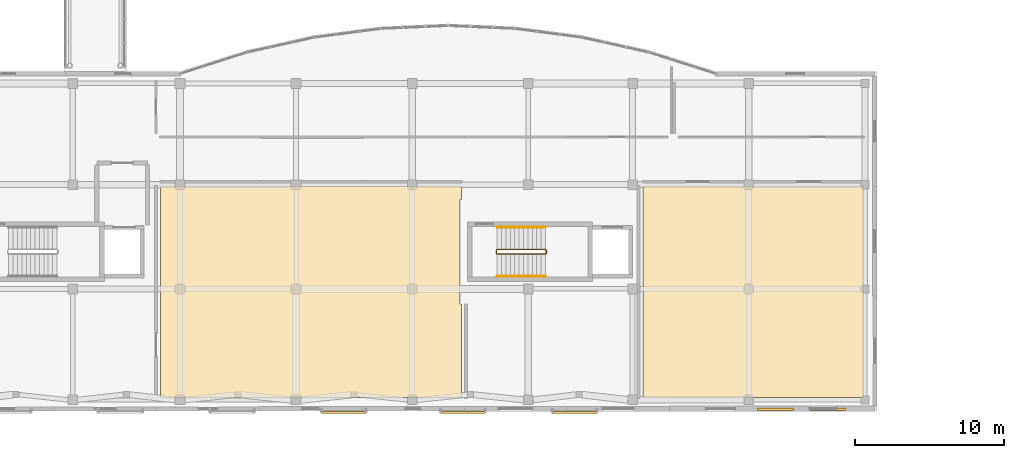
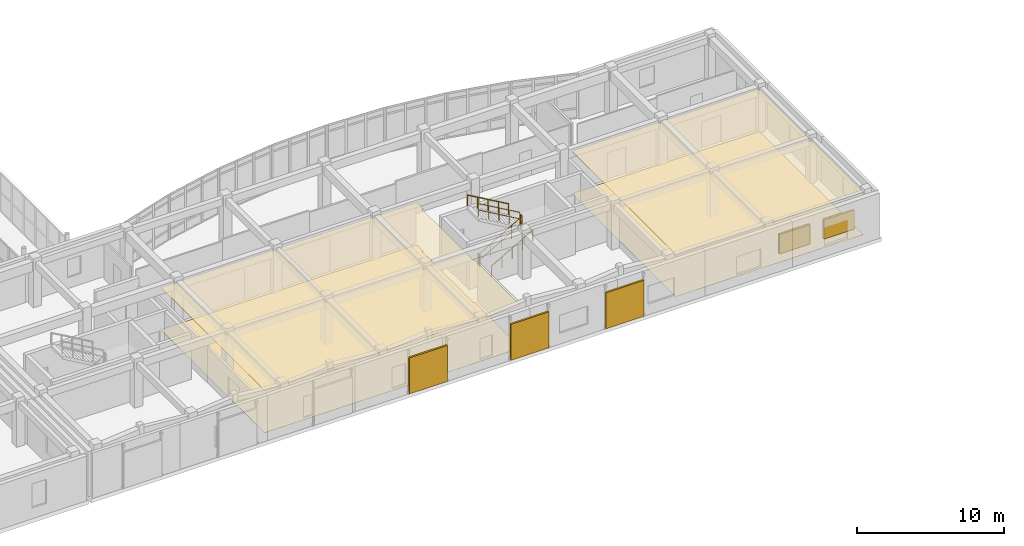
# One storey, part 143 of 146: 6 railings, 5 shading devices, 4 coverings.
"""IFC4 building model written with IfcOpenShell, lengths in metres."""

from ifc_helpers import new_model, si_unit, direction, frame, origin, origin_2d, place, context, subcontext, project, spatial, polyline, rectangle, circle, outline, extrude, material, layer, layer_set, type_object, element, save


model = new_model("IFC4")

# Units and contexts
model_context = context("Model", 3, precision=1e-05, world=origin(), true_north=direction((0.0, 1.0)))
body_context = subcontext(model_context, "Body", "Model", "MODEL_VIEW")
ifc_project = project(units=[si_unit("LENGTHUNIT", "METRE"), si_unit("AREAUNIT", "SQUARE_METRE"), si_unit("VOLUMEUNIT", "CUBIC_METRE"), si_unit("PLANEANGLEUNIT", "RADIAN"), si_unit("MASSUNIT", "GRAM", prefix="KILO")], contexts=[model_context])

# Site, building, storey
site_placement = place(None, origin())
site = spatial("IfcSite", under=ifc_project, at=site_placement, CompositionType="ELEMENT")
building_placement = place(site_placement, origin())
building = spatial("IfcBuilding", under=site, at=building_placement, Name="Valcora Specialist Clinic", CompositionType="ELEMENT")
storey_placement = place(building_placement, frame((0.0, 0.0, 9.52001953125)))
storey = spatial("IfcBuildingStorey", under=building, at=storey_placement, Name="L02", CompositionType="ELEMENT", Elevation=9.52001953125)

# Coverings
ifc_material_1 = material(Name="Acoustic Mineral Ceiling Tile")
ifc_layer_1 = layer(ifc_material_1, 0.02001953125)
ifc_layer_set_1 = layer_set([ifc_layer_1], Name="Acoustic Mineral Ceiling Tile")
covering_type_1 = type_object("IfcCoveringType", Name="TY-CV-CLG020", PredefinedType="CEILING", material=ifc_layer_set_1)
covering_1_placement = place(storey_placement, frame((0.0, 0.0, 3.52490234375)))
element("IfcCovering", 1, at=covering_1_placement, inside=storey, type_object=covering_type_1, Name="Acoustic ceiling tile 19", PredefinedType="CEILING", context=body_context, shape_type="SweptSolid", body=[
    extrude(outline(polyline([(67.699951171875, 15.10009765625), (87.89990234375, 15.10009765625), (87.89990234375, 14.199951171875), (87.800048828125, 14.199951171875), (87.800048828125, 7.199951171875), (87.89990234375, 7.199951171875), (87.89990234375, 0.89990234375), (67.699951171875, 0.89990234375), (67.699951171875, 15.10009765625)])), origin(), (0.0, 0.0, 1.0), 0.02001953125),
])
covering_2_placement = place(storey_placement, frame((0.0, 0.0, 3.52490234375)))
element("IfcCovering", 2, at=covering_2_placement, inside=storey, type_object=covering_type_1, Name="Acoustic ceiling tile 20", PredefinedType="CEILING", context=body_context, shape_type="SweptSolid", body=[
    extrude(outline(polyline([(114.89990234375, 15.10009765625), (114.89990234375, 0.89990234375), (100.10009765625, 0.89990234375), (100.10009765625, 15.10009765625), (114.89990234375, 15.10009765625)])), origin(), (0.0, 0.0, 1.0), 0.02001953125),
])
ifc_material_2 = material(Name="Antimicrobial Vinyl Clinical Flooring")
ifc_layer_2 = layer(ifc_material_2, 0.008056640625)
ifc_layer_set_2 = layer_set([ifc_layer_2], Name="Antimicrobial Vinyl Clinical Flooring")
covering_type_2 = type_object("IfcCoveringType", Name="TY-CV-FLR008", PredefinedType="FLOORING", material=ifc_layer_set_2)
covering_3_placement = place(storey_placement, origin())
element("IfcCovering", 3, at=covering_3_placement, inside=storey, type_object=covering_type_2, Name="Antimicrobial clinical flooring 19", PredefinedType="FLOORING", context=body_context, shape_type="SweptSolid", body=[
    extrude(outline(polyline([(67.699951171875, 15.10009765625), (87.89990234375, 15.10009765625), (87.89990234375, 14.199951171875), (87.800048828125, 14.199951171875), (87.800048828125, 7.199951171875), (87.89990234375, 7.199951171875), (87.89990234375, 0.89990234375), (67.699951171875, 0.89990234375), (67.699951171875, 15.10009765625)])), origin(), (0.0, 0.0, 1.0), 0.008056640625),
])
covering_4_placement = place(storey_placement, origin())
element("IfcCovering", 4, at=covering_4_placement, inside=storey, type_object=covering_type_2, Name="Antimicrobial clinical flooring 20", PredefinedType="FLOORING", context=body_context, shape_type="SweptSolid", body=[
    extrude(outline(polyline([(114.89990234375, 15.10009765625), (114.89990234375, 0.89990234375), (100.10009765625, 0.89990234375), (100.10009765625, 15.10009765625), (114.89990234375, 15.10009765625)])), origin(), (0.0, 0.0, 1.0), 0.008056640625),
])

# Railings
ifc_material_3 = material(Name="Stainless Steel AISI 316", Category="steel")
railing_type_1 = type_object("IfcRailingType", Name="TY-RL-GRD112", PredefinedType="GUARDRAIL", material=ifc_material_3)
railing_1_placement = place(storey_placement, frame((90.300048828125, 10.550048828125, 0.169921875)))
element("IfcRailing", 5, at=railing_1_placement, inside=storey, type_object=railing_type_1, Name="L02 ST-V6B stair guard 1", PredefinedType="GUARDRAIL", context=body_context, shape_type="SweptSolid", body=[
    extrude(circle(Radius=0.02392578125, at=origin_2d()), frame((0.0, 0.0, 1.09619140625), z_axis=(0.866407977205, 0.0, 0.499336777172), x_axis=(0.0, 1.0, 0.0)), (0.0, 0.0, 1.0), 3.7451171875),
    extrude(circle(Radius=0.02392578125, at=origin_2d()), frame((0.0, 0.0, 0.56005859375), z_axis=(0.866407977205, 0.0, 0.499336777172), x_axis=(0.0, 1.0, 0.0)), (0.0, 0.0, 1.0), 3.7451171875),
    extrude(circle(Radius=0.02099609375, at=origin_2d()), origin(), (0.0, 0.0, 1.0), 1.072021484375),
    extrude(circle(Radius=0.02099609375, at=origin_2d()), frame((0.811279296875, 0.0, 0.467529296875)), (0.0, 0.0, 1.0), 1.072021484375),
    extrude(circle(Radius=0.02099609375, at=origin_2d()), frame((1.62255859375, 0.0, 0.93505859375)), (0.0, 0.0, 1.0), 1.072021484375),
    extrude(circle(Radius=0.02099609375, at=origin_2d()), frame((2.43359375, 0.0, 1.402587890625)), (0.0, 0.0, 1.0), 1.072021484375),
    extrude(circle(Radius=0.02099609375, at=origin_2d()), frame((3.244873046875, 0.0, 1.8701171875)), (0.0, 0.0, 1.0), 1.072021484375),
])
railing_2_placement = place(storey_placement, frame((93.594970703125, 10.60009765625, 2.0400390625)))
element("IfcRailing", 6, at=railing_2_placement, inside=storey, type_object=railing_type_1, Name="L02 ST-V6B stair guard 2", PredefinedType="GUARDRAIL", context=body_context, shape_type="SweptSolid", body=[
    extrude(circle(Radius=0.02392578125, at=origin_2d()), frame((0.0, 0.0, 1.09619140625), z_axis=(0.0, 1.0, 0.0), x_axis=(-1.0, 0.0, 0.0)), (0.0, 0.0, 1.0), 0.199951171875),
    extrude(circle(Radius=0.02392578125, at=origin_2d()), frame((0.0, 0.0, 0.56005859375), z_axis=(0.0, 1.0, 0.0), x_axis=(-1.0, 0.0, 0.0)), (0.0, 0.0, 1.0), 0.199951171875),
    extrude(circle(Radius=0.02099609375, at=origin_2d()), origin(), (0.0, 0.0, 1.0), 1.072021484375),
    extrude(circle(Radius=0.02099609375, at=origin_2d()), frame((0.0, 0.199951171875, 0.0)), (0.0, 0.0, 1.0), 1.072021484375),
])
railing_3_placement = place(storey_placement, frame((93.544921875, 10.85009765625, 2.2099609375)))
element("IfcRailing", 7, at=railing_3_placement, inside=storey, type_object=railing_type_1, Name="L02 ST-V6B stair guard 3", PredefinedType="GUARDRAIL", context=body_context, shape_type="SweptSolid", body=[
    extrude(circle(Radius=0.02392578125, at=origin_2d()), frame((0.0, 0.0, 1.09619140625), z_axis=(-0.866407977205, 0.0, 0.499336777172), x_axis=(0.0, -1.0, 0.0)), (0.0, 0.0, 1.0), 3.7451171875),
    extrude(circle(Radius=0.02392578125, at=origin_2d()), frame((0.0, 0.0, 0.56005859375), z_axis=(-0.866407977205, 0.0, 0.499336777172), x_axis=(0.0, -1.0, 0.0)), (0.0, 0.0, 1.0), 3.7451171875),
    extrude(circle(Radius=0.02099609375, at=origin_2d()), origin(), (0.0, 0.0, 1.0), 1.072021484375),
    extrude(circle(Radius=0.02099609375, at=origin_2d()), frame((-0.811279296875, 0.0, 0.467529296875)), (0.0, 0.0, 1.0), 1.072021484375),
    extrude(circle(Radius=0.02099609375, at=origin_2d()), frame((-1.62255859375, 0.0, 0.93505859375)), (0.0, 0.0, 1.0), 1.072021484375),
    extrude(circle(Radius=0.02099609375, at=origin_2d()), frame((-2.43359375, 0.0, 1.402587890625)), (0.0, 0.0, 1.0), 1.072021484375),
    extrude(circle(Radius=0.02099609375, at=origin_2d()), frame((-3.244873046875, 0.0, 1.8701171875)), (0.0, 0.0, 1.0), 1.072021484375),
])
railing_4_placement = place(storey_placement, frame((90.25, 10.60009765625, 0.0)))
element("IfcRailing", 8, at=railing_4_placement, inside=storey, type_object=railing_type_1, Name="L02 ST-V6B stair guard 4", PredefinedType="GUARDRAIL", context=body_context, shape_type="SweptSolid", body=[
    extrude(circle(Radius=0.02392578125, at=origin_2d()), frame((0.0, 0.0, 1.09619140625), z_axis=(0.0, 1.0, 0.0), x_axis=(-1.0, 0.0, 0.0)), (0.0, 0.0, 1.0), 0.199951171875),
    extrude(circle(Radius=0.02392578125, at=origin_2d()), frame((0.0, 0.0, 0.56005859375), z_axis=(0.0, 1.0, 0.0), x_axis=(-1.0, 0.0, 0.0)), (0.0, 0.0, 1.0), 0.199951171875),
    extrude(circle(Radius=0.02099609375, at=origin_2d()), origin(), (0.0, 0.0, 1.0), 1.072021484375),
    extrude(circle(Radius=0.02099609375, at=origin_2d()), frame((0.0, 0.199951171875, 0.0)), (0.0, 0.0, 1.0), 1.072021484375),
])
railing_type_2 = type_object("IfcRailingType", Name="TY-RL-HND092", PredefinedType="HANDRAIL", material=ifc_material_3)
railing_5_placement = place(storey_placement, frame((90.300048828125, 9.050048828125, 0.169921875)))
element("IfcRailing", 9, at=railing_5_placement, inside=storey, type_object=railing_type_2, Name="L02 ST-V6B stair handrail 1", PredefinedType="HANDRAIL", context=body_context, shape_type="SweptSolid", body=[
    extrude(circle(Radius=0.02392578125, at=origin_2d()), frame((0.0, 0.0, 0.89599609375), z_axis=(0.866407977205, 0.0, 0.499336777172), x_axis=(0.0, 1.0, 0.0)), (0.0, 0.0, 1.0), 3.7451171875),
    extrude(circle(Radius=0.02099609375, at=origin_2d()), origin(), (0.0, 0.0, 1.0), 0.871826171875),
    extrude(circle(Radius=0.02099609375, at=origin_2d()), frame((0.811279296875, 0.0, 0.467529296875)), (0.0, 0.0, 1.0), 0.871826171875),
    extrude(circle(Radius=0.02099609375, at=origin_2d()), frame((1.62255859375, 0.0, 0.93505859375)), (0.0, 0.0, 1.0), 0.871826171875),
    extrude(circle(Radius=0.02099609375, at=origin_2d()), frame((2.43359375, 0.0, 1.402587890625)), (0.0, 0.0, 1.0), 0.871826171875),
    extrude(circle(Radius=0.02099609375, at=origin_2d()), frame((3.244873046875, 0.0, 1.8701171875)), (0.0, 0.0, 1.0), 0.871826171875),
])
railing_6_placement = place(storey_placement, frame((93.544921875, 12.35009765625, 2.2099609375)))
element("IfcRailing", 10, at=railing_6_placement, inside=storey, type_object=railing_type_2, Name="L02 ST-V6B stair handrail 2", PredefinedType="HANDRAIL", context=body_context, shape_type="SweptSolid", body=[
    extrude(circle(Radius=0.02392578125, at=origin_2d()), frame((0.0, 0.0, 0.89599609375), z_axis=(-0.866407977205, 0.0, 0.499336777172), x_axis=(0.0, -1.0, 0.0)), (0.0, 0.0, 1.0), 3.7451171875),
    extrude(circle(Radius=0.02099609375, at=origin_2d()), origin(), (0.0, 0.0, 1.0), 0.871826171875),
    extrude(circle(Radius=0.02099609375, at=origin_2d()), frame((-0.811279296875, 0.0, 0.467529296875)), (0.0, 0.0, 1.0), 0.871826171875),
    extrude(circle(Radius=0.02099609375, at=origin_2d()), frame((-1.62255859375, 0.0, 0.93505859375)), (0.0, 0.0, 1.0), 0.871826171875),
    extrude(circle(Radius=0.02099609375, at=origin_2d()), frame((-2.43359375, 0.0, 1.402587890625)), (0.0, 0.0, 1.0), 0.871826171875),
    extrude(circle(Radius=0.02099609375, at=origin_2d()), frame((-3.244873046875, 0.0, 1.8701171875)), (0.0, 0.0, 1.0), 0.871826171875),
])

# Shading devices
ifc_material_4 = material(Name="Anodized Bronze Aluminium 6063-T6", Category="aluminium")
ifc_layer_3 = layer(ifc_material_4, 0.14990234375)
ifc_layer_set_3 = layer_set([ifc_layer_3], Name="Anodized Bronze Aluminium 6063-T6")
shading_device_type_1 = type_object("IfcShadingDeviceType", Name="TY-SD-LVR240", PredefinedType="JALOUSIE", material=ifc_layer_set_3)
for number, where, z_axis, x_axis, name in (
    (11, (109.0, 0.1201171875, 1.39990234375), (0.0, 0.0, 1.0), (1.0, 0.0, 0.0), "Acoustic plant louvre 44"),
    (12, (112.5, 0.1201171875, 1.39990234375), (0.0, 0.0, 1.0), (1.0, 0.0, 0.0), "Acoustic plant louvre 45"),
):
    element("IfcShadingDevice", number, at=place(storey_placement, frame(where, z_axis=z_axis, x_axis=x_axis)), inside=storey, type_object=shading_device_type_1, Name=name, PredefinedType="JALOUSIE", context=body_context, shape_type="SweptSolid", body=[
        extrude(rectangle(XDim=2.39990234375, YDim=0.14990234375, at=origin_2d()), origin(), (0.0, 0.0, 1.0), 1.60009765625),
    ])
ifc_material_5 = material(Name="Perforated Jalisco Clay Brick Masonry", Category="masonry")
ifc_layer_4 = layer(ifc_material_5, 0.139892578125)
ifc_layer_set_4 = layer_set([ifc_layer_4], Name="Perforated Jalisco Clay Brick Masonry")
shading_device_type_2 = type_object("IfcShadingDeviceType", Name="TY-SD-SCR300", PredefinedType="USERDEFINED", material=ifc_layer_set_4)
for number, where, z_axis, x_axis, name in (
    (13, (80.0, -0.10009765625, 0.119873046875), (0.0, 0.0, 1.0), (1.0, 0.0, 0.0), "Perforated Jalisco brick screen 18"),
    (14, (88.0, -0.10009765625, 0.119873046875), (0.0, 0.0, 1.0), (1.0, 0.0, 0.0), "Perforated Jalisco brick screen 19"),
    (15, (95.5, -0.10009765625, 0.119873046875), (0.0, 0.0, 1.0), (1.0, 0.0, 0.0), "Perforated Jalisco brick screen 20"),
):
    element("IfcShadingDevice", number, at=place(storey_placement, frame(where, z_axis=z_axis, x_axis=x_axis)), inside=storey, type_object=shading_device_type_2, Name=name, ObjectType="PERFORATED BRICK SCREEN", PredefinedType="USERDEFINED", context=body_context, shape_type="SweptSolid", body=[
        extrude(rectangle(XDim=3.0, YDim=0.139892578125, at=origin_2d()), origin(), (0.0, 0.0, 1.0), 3.0),
    ])

save(model, "model.ifc")
